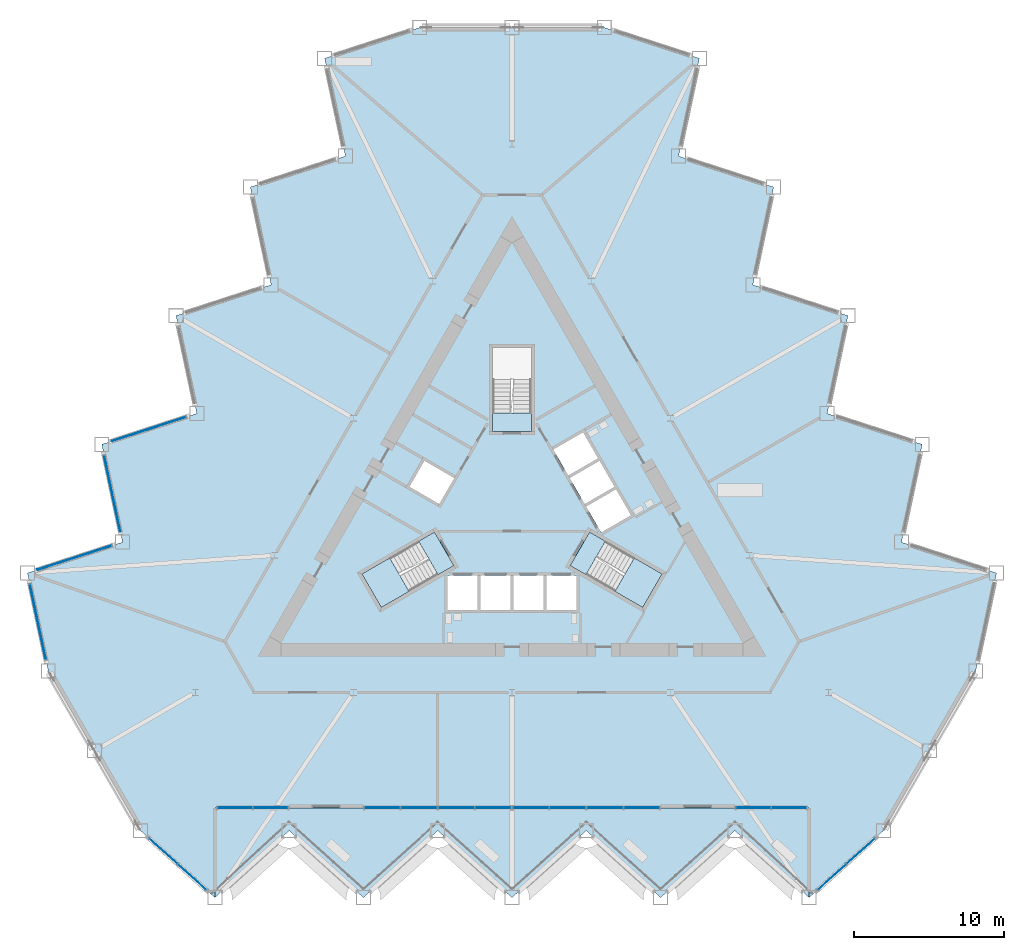
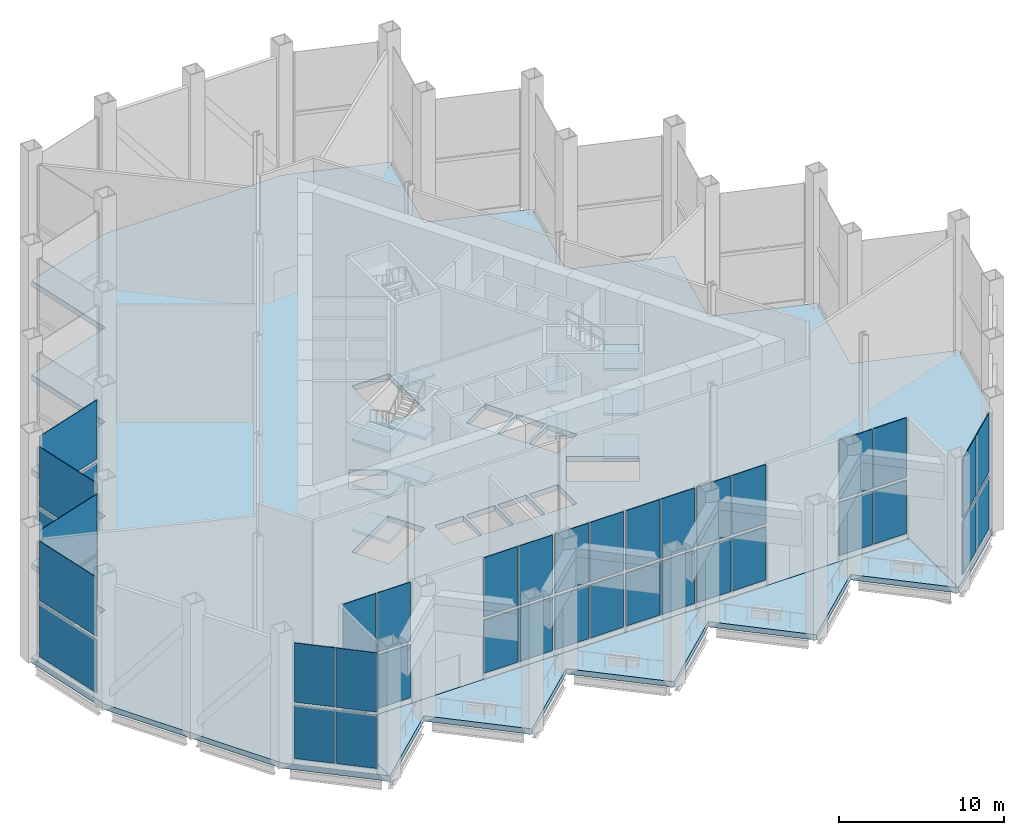
# One storey, part 6 of 17: 40 plates, 13 slabs, 12 elements without a shape of their own.
"""IFC4 building model written with IfcOpenShell, lengths in metres."""

from ifc_helpers import new_model, si_unit, direction, frame, origin, origin_2d, place, context, subcontext, project, spatial, polyline, rectangle, outline, extrude, material, layer, layer_set, type_object, element, aggregate, save


model = new_model("IFC4")

# Units and contexts
model_context = context("Model", 3, precision=1e-05, world=origin(), true_north=direction((0.0, 1.0)))
body_context = subcontext(model_context, "Body", "Model", "MODEL_VIEW")
ifc_project = project(units=[si_unit("LENGTHUNIT", "METRE"), si_unit("AREAUNIT", "SQUARE_METRE"), si_unit("VOLUMEUNIT", "CUBIC_METRE"), si_unit("PLANEANGLEUNIT", "RADIAN"), si_unit("MASSUNIT", "GRAM", prefix="KILO")], contexts=[model_context])

# Site, building, storey
site_placement = place(None, origin())
site = spatial("IfcSite", under=ifc_project, at=site_placement, CompositionType="ELEMENT")
building_placement = place(site_placement, origin())
building = spatial("IfcBuilding", under=site, at=building_placement, Name="Cormorant Prow Tower", CompositionType="ELEMENT")
storey_placement = place(building_placement, frame((0.0, 0.0, 84.60009765625)))
storey = spatial("IfcBuildingStorey", under=building, at=storey_placement, Name="L18", CompositionType="ELEMENT", Elevation=84.60009765625)

# Slab
ifc_material_1 = material(Name="Concrete C40/50", Category="concrete")
ifc_layer_1 = layer(ifc_material_1, 0.39990234375)
ifc_layer_set_1 = layer_set([ifc_layer_1], Name="Concrete C40/50")
slab_type_1 = type_object("IfcSlabType", Name="Post-tensioned flat slab 400", PredefinedType="FLOOR", material=ifc_layer_set_1)
slab_1_placement = place(storey_placement, frame((0.0, 0.0, -0.400146484375)))
element("IfcSlab", 1, at=slab_1_placement, inside=storey, type_object=slab_type_1, Name="Floor slab L18", PredefinedType="FLOOR", context=body_context, shape_type="SweptSolid", body=[
    extrude(outline(polyline([(-12.525146484375, 30.168701171875), (-11.1357421875, 23.632080078125), (-17.4912109375, 21.567138671875), (-16.101806640625, 15.03076171875), (-22.457275390625, 12.965576171875), (-21.06787109375, 6.42919921875), (-27.42333984375, 4.3642578125), (-26.033935546875, -2.17236328125), (-32.389404296875, -4.2373046875), (-31.0, -10.773681640625), (-27.915283203125, -16.116943359375), (-24.830322265625, -21.4599609375), (-19.8642578125, -25.931396484375), (-19.8642578125, -19.931396484375), (19.8642578125, -19.931396484375), (19.8642578125, -25.931396484375), (24.830322265625, -21.4599609375), (27.915283203125, -16.116943359375), (31.0, -10.773681640625), (32.389404296875, -4.2373046875), (26.033935546875, -2.17236328125), (27.42333984375, 4.3642578125), (21.06787109375, 6.42919921875), (22.457275390625, 12.965576171875), (16.101806640625, 15.03076171875), (17.4912109375, 21.567138671875), (11.1357421875, 23.632080078125), (12.525146484375, 30.168701171875), (6.169677734375, 32.233642578125), (0.0, 32.233642578125), (-6.169677734375, 32.233642578125), (-12.525146484375, 30.168701171875)]), holes=[polyline([(-4.300048828125, -6.699951171875), (-4.300048828125, -4.39990234375), (-2.300048828125, -4.39990234375), (-2.300048828125, -6.699951171875), (-4.300048828125, -6.699951171875)]), polyline([(-2.10009765625, -4.39990234375), (-0.10009765625, -4.39990234375), (-0.10009765625, -6.699951171875), (-2.10009765625, -6.699951171875), (-2.10009765625, -4.39990234375)]), polyline([(2.10009765625, -4.39990234375), (2.10009765625, -6.699951171875), (0.10009765625, -6.699951171875), (0.10009765625, -4.39990234375), (2.10009765625, -4.39990234375)]), polyline([(4.300048828125, -6.699951171875), (2.300048828125, -6.699951171875), (2.300048828125, -4.39990234375), (4.300048828125, -4.39990234375), (4.300048828125, -6.699951171875)]), polyline([(7.952392578125, -0.373779296875), (5.96044921875, -1.52392578125), (4.96044921875, 0.2080078125), (6.952392578125, 1.358154296875), (7.952392578125, -0.373779296875)]), polyline([(4.860595703125, 0.38134765625), (3.860595703125, 2.11328125), (5.852294921875, 3.263427734375), (6.852294921875, 1.53125), (4.860595703125, 0.38134765625)]), polyline([(2.760498046875, 4.018798828125), (4.75244140625, 5.168701171875), (5.75244140625, 3.4365234375), (3.760498046875, 2.28662109375), (2.760498046875, 4.018798828125)]), polyline([(-6.852294921875, 1.53125), (-5.852294921875, 3.263427734375), (-3.860595703125, 2.11328125), (-4.860595703125, 0.38134765625), (-6.852294921875, 1.53125)]), polyline([(-4.947509765625, -4.3505859375), (-8.738037109375, -6.5390625), (-10.031982421875, -4.2978515625), (-6.241455078125, -2.109375), (-4.947509765625, -4.3505859375)]), polyline([(10.031982421875, -4.2978515625), (8.738037109375, -6.5390625), (4.947509765625, -4.3505859375), (6.241455078125, -2.109375), (10.031982421875, -4.2978515625)]), polyline([(1.2939453125, 10.8369140625), (1.2939453125, 6.459716796875), (-1.2939453125, 6.459716796875), (-1.2939453125, 10.8369140625), (1.2939453125, 10.8369140625)])]), origin(), (0.0, 0.0, 1.0), 0.400146484375),
])

# Curtain wall, plates
ifc_material_2 = material(Name="Aluminium 6063-T6", Category="aluminium")
ifc_layer_2 = layer(ifc_material_2, 0.300048828125)
ifc_layer_set_2 = layer_set([ifc_layer_2], Name="Aluminium 6063-T6")
curtain_wall_type = type_object("IfcCurtainWallType", Name="Sky lobby unitised curtain wall 300", PredefinedType="NOTDEFINED", material=ifc_layer_set_2)
curtain_wall_1_placement = place(storey_placement, origin())
curtain_wall_1 = element("IfcCurtainWall", 2, at=curtain_wall_1_placement, inside=storey, type_object=curtain_wall_type, Name="Sky lobby curtain wall S00", PredefinedType="NOTDEFINED")
ifc_material_3 = material(Name="Clear glass", Category="glass")
ifc_layer_3 = layer(ifc_material_3, 0.0439453125)
ifc_layer_set_3 = layer_set([ifc_layer_3], Name="Clear glass")
plate_type = type_object("IfcPlateType", Name="Sky lobby glass panel 44", PredefinedType="CURTAIN_PANEL", material=ifc_layer_set_3)
plate_1_placement = place(storey_placement, frame((-23.312744140625, -22.826416015625, 0.449951171875), z_axis=(0.0, 0.0, 1.0), x_axis=(0.743144871012, -0.669130555788, 0.0)))
plate_1 = element("IfcPlate", 3, at=plate_1_placement, type_object=plate_type, Name="Sky lobby glass panel S00", PredefinedType="CURTAIN_PANEL", context=body_context, shape_type="SweptSolid", body=[
    extrude(rectangle(XDim=2.518310546875, YDim=0.0439453125, at=origin_2d()), origin(), (0.0, 0.0, 1.0), 3.92431640625),
])
plate_2_placement = place(storey_placement, frame((-21.3818359375, -24.56494140625, 0.449951171875), z_axis=(0.0, 0.0, 1.0), x_axis=(0.743144871012, -0.669130555788, 0.0)))
plate_2 = element("IfcPlate", 4, at=plate_2_placement, type_object=plate_type, Name="Sky lobby glass panel S00", PredefinedType="CURTAIN_PANEL", context=body_context, shape_type="SweptSolid", body=[
    extrude(rectangle(XDim=2.518310546875, YDim=0.0439453125, at=origin_2d()), origin(), (0.0, 0.0, 1.0), 3.92431640625),
])
plate_3_placement = place(storey_placement, frame((-23.312744140625, -22.826416015625, 4.6142578125), z_axis=(0.0, 0.0, 1.0), x_axis=(0.743144871012, -0.669130555788, 0.0)))
plate_3 = element("IfcPlate", 5, at=plate_3_placement, type_object=plate_type, Name="Sky lobby glass panel S00", PredefinedType="CURTAIN_PANEL", context=body_context, shape_type="SweptSolid", body=[
    extrude(rectangle(XDim=2.518310546875, YDim=0.0439453125, at=origin_2d()), origin(), (0.0, 0.0, 1.0), 4.37451171875),
])
plate_4_placement = place(storey_placement, frame((-21.3818359375, -24.56494140625, 4.6142578125), z_axis=(0.0, 0.0, 1.0), x_axis=(0.743144871012, -0.669130555788, 0.0)))
plate_4 = element("IfcPlate", 6, at=plate_4_placement, type_object=plate_type, Name="Sky lobby glass panel S00", PredefinedType="CURTAIN_PANEL", context=body_context, shape_type="SweptSolid", body=[
    extrude(rectangle(XDim=2.518310546875, YDim=0.0439453125, at=origin_2d()), origin(), (0.0, 0.0, 1.0), 4.37451171875),
])
aggregate(curtain_wall_1, [plate_1, plate_2, plate_3, plate_4])

curtain_wall_2_placement = place(storey_placement, origin())
curtain_wall_2 = element("IfcCurtainWall", 7, at=curtain_wall_2_placement, inside=storey, type_object=curtain_wall_type, Name="Sky lobby curtain wall S09", PredefinedType="NOTDEFINED")
plate_5_placement = place(storey_placement, frame((21.3818359375, -24.56494140625, 0.449951171875), z_axis=(0.0, 0.0, 1.0), x_axis=(0.743144871012, 0.669130555788, 0.0)))
plate_5 = element("IfcPlate", 8, at=plate_5_placement, type_object=plate_type, Name="Sky lobby glass panel S09", PredefinedType="CURTAIN_PANEL", context=body_context, shape_type="SweptSolid", body=[
    extrude(rectangle(XDim=2.518310546875, YDim=0.0439453125, at=origin_2d()), origin(), (0.0, 0.0, 1.0), 3.92431640625),
])
plate_6_placement = place(storey_placement, frame((23.312744140625, -22.826416015625, 0.449951171875), z_axis=(0.0, 0.0, 1.0), x_axis=(0.743144871012, 0.669130555788, 0.0)))
plate_6 = element("IfcPlate", 9, at=plate_6_placement, type_object=plate_type, Name="Sky lobby glass panel S09", PredefinedType="CURTAIN_PANEL", context=body_context, shape_type="SweptSolid", body=[
    extrude(rectangle(XDim=2.518310546875, YDim=0.0439453125, at=origin_2d()), origin(), (0.0, 0.0, 1.0), 3.92431640625),
])
plate_7_placement = place(storey_placement, frame((21.3818359375, -24.56494140625, 4.6142578125), z_axis=(0.0, 0.0, 1.0), x_axis=(0.743144871012, 0.669130555788, 0.0)))
plate_7 = element("IfcPlate", 10, at=plate_7_placement, type_object=plate_type, Name="Sky lobby glass panel S09", PredefinedType="CURTAIN_PANEL", context=body_context, shape_type="SweptSolid", body=[
    extrude(rectangle(XDim=2.518310546875, YDim=0.0439453125, at=origin_2d()), origin(), (0.0, 0.0, 1.0), 4.37451171875),
])
plate_8_placement = place(storey_placement, frame((23.312744140625, -22.826416015625, 4.6142578125), z_axis=(0.0, 0.0, 1.0), x_axis=(0.743144871012, 0.669130555788, 0.0)))
plate_8 = element("IfcPlate", 11, at=plate_8_placement, type_object=plate_type, Name="Sky lobby glass panel S09", PredefinedType="CURTAIN_PANEL", context=body_context, shape_type="SweptSolid", body=[
    extrude(rectangle(XDim=2.518310546875, YDim=0.0439453125, at=origin_2d()), origin(), (0.0, 0.0, 1.0), 4.37451171875),
])
aggregate(curtain_wall_2, [plate_5, plate_6, plate_7, plate_8])

curtain_wall_3_placement = place(storey_placement, origin())
curtain_wall_3 = element("IfcCurtainWall", 12, at=curtain_wall_3_placement, inside=storey, type_object=curtain_wall_type, Name="Sky lobby curtain wall WNW00-WNW09", PredefinedType="NOTDEFINED")
plate_9_placement = place(storey_placement, frame((-24.28369140625, 5.38427734375, 0.449951171875), z_axis=(0.0, 0.0, 1.0), x_axis=(-0.951056529897, -0.309016952512, 0.0)))
plate_9 = element("IfcPlate", 13, at=plate_9_placement, type_object=plate_type, Name="Sky lobby glass panel WNW00-WNW09", PredefinedType="CURTAIN_PANEL", context=body_context, shape_type="SweptSolid", body=[
    extrude(rectangle(XDim=5.196533203125, YDim=0.0439453125, at=origin_2d()), origin(), (0.0, 0.0, 1.0), 3.92431640625),
])
plate_10_placement = place(storey_placement, frame((-24.28369140625, 5.38427734375, 4.6142578125), z_axis=(0.0, 0.0, 1.0), x_axis=(-0.951056529897, -0.309016952512, 0.0)))
plate_10 = element("IfcPlate", 14, at=plate_10_placement, type_object=plate_type, Name="Sky lobby glass panel WNW00-WNW09", PredefinedType="CURTAIN_PANEL", context=body_context, shape_type="SweptSolid", body=[
    extrude(rectangle(XDim=5.196533203125, YDim=0.0439453125, at=origin_2d()), origin(), (0.0, 0.0, 1.0), 4.37451171875),
])
plate_11_placement = place(storey_placement, frame((-26.72021484375, 1.056884765625, 0.449951171875), z_axis=(0.0, 0.0, 1.0), x_axis=(0.207911740719, -0.978147590127, 0.0)))
plate_11 = element("IfcPlate", 15, at=plate_11_placement, type_object=plate_type, Name="Sky lobby glass panel WNW00-WNW09", PredefinedType="CURTAIN_PANEL", context=body_context, shape_type="SweptSolid", body=[
    extrude(rectangle(XDim=5.196533203125, YDim=0.0439453125, at=origin_2d()), origin(), (0.0, 0.0, 1.0), 3.92431640625),
])
plate_12_placement = place(storey_placement, frame((-26.72021484375, 1.056884765625, 4.6142578125), z_axis=(0.0, 0.0, 1.0), x_axis=(0.207911740719, -0.978147590127, 0.0)))
plate_12 = element("IfcPlate", 16, at=plate_12_placement, type_object=plate_type, Name="Sky lobby glass panel WNW00-WNW09", PredefinedType="CURTAIN_PANEL", context=body_context, shape_type="SweptSolid", body=[
    extrude(rectangle(XDim=5.196533203125, YDim=0.0439453125, at=origin_2d()), origin(), (0.0, 0.0, 1.0), 4.37451171875),
])
plate_13_placement = place(storey_placement, frame((-29.249755859375, -3.217041015625, 0.449951171875), z_axis=(0.0, 0.0, 1.0), x_axis=(-0.951056529897, -0.309016952512, 0.0)))
plate_13 = element("IfcPlate", 17, at=plate_13_placement, type_object=plate_type, Name="Sky lobby glass panel WNW00-WNW09", PredefinedType="CURTAIN_PANEL", context=body_context, shape_type="SweptSolid", body=[
    extrude(rectangle(XDim=5.196533203125, YDim=0.0439453125, at=origin_2d()), origin(), (0.0, 0.0, 1.0), 3.92431640625),
])
plate_14_placement = place(storey_placement, frame((-29.249755859375, -3.217041015625, 4.6142578125), z_axis=(0.0, 0.0, 1.0), x_axis=(-0.951056529897, -0.309016952512, 0.0)))
plate_14 = element("IfcPlate", 18, at=plate_14_placement, type_object=plate_type, Name="Sky lobby glass panel WNW00-WNW09", PredefinedType="CURTAIN_PANEL", context=body_context, shape_type="SweptSolid", body=[
    extrude(rectangle(XDim=5.196533203125, YDim=0.0439453125, at=origin_2d()), origin(), (0.0, 0.0, 1.0), 4.37451171875),
])
plate_15_placement = place(storey_placement, frame((-31.694580078125, -7.505615234375, 0.449951171875), z_axis=(0.0, 0.0, 1.0), x_axis=(0.207911740719, -0.978147590127, 0.0)))
plate_15 = element("IfcPlate", 19, at=plate_15_placement, type_object=plate_type, Name="Sky lobby glass panel WNW00-WNW09", PredefinedType="CURTAIN_PANEL", context=body_context, shape_type="SweptSolid", body=[
    extrude(rectangle(XDim=5.116455078125, YDim=0.0439453125, at=origin_2d()), origin(), (0.0, 0.0, 1.0), 3.92431640625),
])
plate_16_placement = place(storey_placement, frame((-31.694580078125, -7.505615234375, 4.6142578125), z_axis=(0.0, 0.0, 1.0), x_axis=(0.207911740719, -0.978147590127, 0.0)))
plate_16 = element("IfcPlate", 20, at=plate_16_placement, type_object=plate_type, Name="Sky lobby glass panel WNW00-WNW09", PredefinedType="CURTAIN_PANEL", context=body_context, shape_type="SweptSolid", body=[
    extrude(rectangle(XDim=5.116455078125, YDim=0.0439453125, at=origin_2d()), origin(), (0.0, 0.0, 1.0), 4.37451171875),
])
aggregate(curtain_wall_3, [plate_9, plate_10, plate_11, plate_12, plate_13, plate_14, plate_15, plate_16])

curtain_wall_4_placement = place(storey_placement, origin())
curtain_wall_4 = element("IfcCurtainWall", 21, at=curtain_wall_4_placement, inside=storey, type_object=curtain_wall_type, Name="Sky lobby curtain wall loggia S01", PredefinedType="NOTDEFINED")
plate_17_placement = place(storey_placement, frame((-18.520263671875, -19.931396484375, 0.449951171875), z_axis=(0.0, 0.0, 1.0), x_axis=(1.0, 0.0, 0.0)))
plate_17 = element("IfcPlate", 22, at=plate_17_placement, type_object=plate_type, Name="Sky lobby glass panel loggia S01", PredefinedType="CURTAIN_PANEL", context=body_context, shape_type="SweptSolid", body=[
    extrude(rectangle(XDim=2.30810546875, YDim=0.0439453125, at=origin_2d()), origin(), (0.0, 0.0, 1.0), 3.92431640625),
])
plate_18_placement = place(storey_placement, frame((-16.13232421875, -19.931396484375, 0.449951171875), z_axis=(0.0, 0.0, 1.0), x_axis=(1.0, 0.0, 0.0)))
plate_18 = element("IfcPlate", 23, at=plate_18_placement, type_object=plate_type, Name="Sky lobby glass panel loggia S01", PredefinedType="CURTAIN_PANEL", context=body_context, shape_type="SweptSolid", body=[
    extrude(rectangle(XDim=2.30810546875, YDim=0.0439453125, at=origin_2d()), origin(), (0.0, 0.0, 1.0), 3.92431640625),
])
plate_19_placement = place(storey_placement, frame((-18.520263671875, -19.931396484375, 4.6142578125), z_axis=(0.0, 0.0, 1.0), x_axis=(1.0, 0.0, 0.0)))
plate_19 = element("IfcPlate", 24, at=plate_19_placement, type_object=plate_type, Name="Sky lobby glass panel loggia S01", PredefinedType="CURTAIN_PANEL", context=body_context, shape_type="SweptSolid", body=[
    extrude(rectangle(XDim=2.30810546875, YDim=0.0439453125, at=origin_2d()), origin(), (0.0, 0.0, 1.0), 4.37451171875),
])
plate_20_placement = place(storey_placement, frame((-16.13232421875, -19.931396484375, 4.6142578125), z_axis=(0.0, 0.0, 1.0), x_axis=(1.0, 0.0, 0.0)))
plate_20 = element("IfcPlate", 25, at=plate_20_placement, type_object=plate_type, Name="Sky lobby glass panel loggia S01", PredefinedType="CURTAIN_PANEL", context=body_context, shape_type="SweptSolid", body=[
    extrude(rectangle(XDim=2.30810546875, YDim=0.0439453125, at=origin_2d()), origin(), (0.0, 0.0, 1.0), 4.37451171875),
])
aggregate(curtain_wall_4, [plate_17, plate_18, plate_19, plate_20])

curtain_wall_5_placement = place(storey_placement, origin())
curtain_wall_5 = element("IfcCurtainWall", 26, at=curtain_wall_5_placement, inside=storey, type_object=curtain_wall_type, Name="Sky lobby curtain wall loggia S03", PredefinedType="NOTDEFINED")
plate_21_placement = place(storey_placement, frame((-8.670654296875, -19.931396484375, 0.449951171875), z_axis=(0.0, 0.0, 1.0), x_axis=(1.0, 0.0, 0.0)))
plate_21 = element("IfcPlate", 27, at=plate_21_placement, type_object=plate_type, Name="Sky lobby glass panel loggia S03", PredefinedType="CURTAIN_PANEL", context=body_context, shape_type="SweptSolid", body=[
    extrude(rectangle(XDim=2.363037109375, YDim=0.0439453125, at=origin_2d()), origin(), (0.0, 0.0, 1.0), 3.92431640625),
])
plate_22_placement = place(storey_placement, frame((-6.2275390625, -19.931396484375, 0.449951171875), z_axis=(0.0, 0.0, 1.0), x_axis=(1.0, 0.0, 0.0)))
plate_22 = element("IfcPlate", 28, at=plate_22_placement, type_object=plate_type, Name="Sky lobby glass panel loggia S03", PredefinedType="CURTAIN_PANEL", context=body_context, shape_type="SweptSolid", body=[
    extrude(rectangle(XDim=2.363037109375, YDim=0.0439453125, at=origin_2d()), origin(), (0.0, 0.0, 1.0), 3.92431640625),
])
plate_23_placement = place(storey_placement, frame((-8.670654296875, -19.931396484375, 4.6142578125), z_axis=(0.0, 0.0, 1.0), x_axis=(1.0, 0.0, 0.0)))
plate_23 = element("IfcPlate", 29, at=plate_23_placement, type_object=plate_type, Name="Sky lobby glass panel loggia S03", PredefinedType="CURTAIN_PANEL", context=body_context, shape_type="SweptSolid", body=[
    extrude(rectangle(XDim=2.363037109375, YDim=0.0439453125, at=origin_2d()), origin(), (0.0, 0.0, 1.0), 4.37451171875),
])
plate_24_placement = place(storey_placement, frame((-6.2275390625, -19.931396484375, 4.6142578125), z_axis=(0.0, 0.0, 1.0), x_axis=(1.0, 0.0, 0.0)))
plate_24 = element("IfcPlate", 30, at=plate_24_placement, type_object=plate_type, Name="Sky lobby glass panel loggia S03", PredefinedType="CURTAIN_PANEL", context=body_context, shape_type="SweptSolid", body=[
    extrude(rectangle(XDim=2.363037109375, YDim=0.0439453125, at=origin_2d()), origin(), (0.0, 0.0, 1.0), 4.37451171875),
])
aggregate(curtain_wall_5, [plate_21, plate_22, plate_23, plate_24])

curtain_wall_6_placement = place(storey_placement, origin())
curtain_wall_6 = element("IfcCurtainWall", 31, at=curtain_wall_6_placement, inside=storey, type_object=curtain_wall_type, Name="Sky lobby curtain wall loggia S04", PredefinedType="NOTDEFINED")
plate_25_placement = place(storey_placement, frame((-3.70458984375, -19.931396484375, 0.449951171875), z_axis=(0.0, 0.0, 1.0), x_axis=(1.0, 0.0, 0.0)))
plate_25 = element("IfcPlate", 32, at=plate_25_placement, type_object=plate_type, Name="Sky lobby glass panel loggia S04", PredefinedType="CURTAIN_PANEL", context=body_context, shape_type="SweptSolid", body=[
    extrude(rectangle(XDim=2.363037109375, YDim=0.0439453125, at=origin_2d()), origin(), (0.0, 0.0, 1.0), 3.92431640625),
])
plate_26_placement = place(storey_placement, frame((-1.261474609375, -19.931396484375, 0.449951171875), z_axis=(0.0, 0.0, 1.0), x_axis=(1.0, 0.0, 0.0)))
plate_26 = element("IfcPlate", 33, at=plate_26_placement, type_object=plate_type, Name="Sky lobby glass panel loggia S04", PredefinedType="CURTAIN_PANEL", context=body_context, shape_type="SweptSolid", body=[
    extrude(rectangle(XDim=2.363037109375, YDim=0.0439453125, at=origin_2d()), origin(), (0.0, 0.0, 1.0), 3.92431640625),
])
plate_27_placement = place(storey_placement, frame((-3.70458984375, -19.931396484375, 4.6142578125), z_axis=(0.0, 0.0, 1.0), x_axis=(1.0, 0.0, 0.0)))
plate_27 = element("IfcPlate", 34, at=plate_27_placement, type_object=plate_type, Name="Sky lobby glass panel loggia S04", PredefinedType="CURTAIN_PANEL", context=body_context, shape_type="SweptSolid", body=[
    extrude(rectangle(XDim=2.363037109375, YDim=0.0439453125, at=origin_2d()), origin(), (0.0, 0.0, 1.0), 4.37451171875),
])
plate_28_placement = place(storey_placement, frame((-1.261474609375, -19.931396484375, 4.6142578125), z_axis=(0.0, 0.0, 1.0), x_axis=(1.0, 0.0, 0.0)))
plate_28 = element("IfcPlate", 35, at=plate_28_placement, type_object=plate_type, Name="Sky lobby glass panel loggia S04", PredefinedType="CURTAIN_PANEL", context=body_context, shape_type="SweptSolid", body=[
    extrude(rectangle(XDim=2.363037109375, YDim=0.0439453125, at=origin_2d()), origin(), (0.0, 0.0, 1.0), 4.37451171875),
])
aggregate(curtain_wall_6, [plate_25, plate_26, plate_27, plate_28])

curtain_wall_7_placement = place(storey_placement, origin())
curtain_wall_7 = element("IfcCurtainWall", 36, at=curtain_wall_7_placement, inside=storey, type_object=curtain_wall_type, Name="Sky lobby curtain wall loggia S05", PredefinedType="NOTDEFINED")
plate_29_placement = place(storey_placement, frame((1.261474609375, -19.931396484375, 0.449951171875), z_axis=(0.0, 0.0, 1.0), x_axis=(1.0, 0.0, 0.0)))
plate_29 = element("IfcPlate", 37, at=plate_29_placement, type_object=plate_type, Name="Sky lobby glass panel loggia S05", PredefinedType="CURTAIN_PANEL", context=body_context, shape_type="SweptSolid", body=[
    extrude(rectangle(XDim=2.363037109375, YDim=0.0439453125, at=origin_2d()), origin(), (0.0, 0.0, 1.0), 3.92431640625),
])
plate_30_placement = place(storey_placement, frame((3.70458984375, -19.931396484375, 0.449951171875), z_axis=(0.0, 0.0, 1.0), x_axis=(1.0, 0.0, 0.0)))
plate_30 = element("IfcPlate", 38, at=plate_30_placement, type_object=plate_type, Name="Sky lobby glass panel loggia S05", PredefinedType="CURTAIN_PANEL", context=body_context, shape_type="SweptSolid", body=[
    extrude(rectangle(XDim=2.363037109375, YDim=0.0439453125, at=origin_2d()), origin(), (0.0, 0.0, 1.0), 3.92431640625),
])
plate_31_placement = place(storey_placement, frame((1.261474609375, -19.931396484375, 4.6142578125), z_axis=(0.0, 0.0, 1.0), x_axis=(1.0, 0.0, 0.0)))
plate_31 = element("IfcPlate", 39, at=plate_31_placement, type_object=plate_type, Name="Sky lobby glass panel loggia S05", PredefinedType="CURTAIN_PANEL", context=body_context, shape_type="SweptSolid", body=[
    extrude(rectangle(XDim=2.363037109375, YDim=0.0439453125, at=origin_2d()), origin(), (0.0, 0.0, 1.0), 4.37451171875),
])
plate_32_placement = place(storey_placement, frame((3.70458984375, -19.931396484375, 4.6142578125), z_axis=(0.0, 0.0, 1.0), x_axis=(1.0, 0.0, 0.0)))
plate_32 = element("IfcPlate", 40, at=plate_32_placement, type_object=plate_type, Name="Sky lobby glass panel loggia S05", PredefinedType="CURTAIN_PANEL", context=body_context, shape_type="SweptSolid", body=[
    extrude(rectangle(XDim=2.363037109375, YDim=0.0439453125, at=origin_2d()), origin(), (0.0, 0.0, 1.0), 4.37451171875),
])
aggregate(curtain_wall_7, [plate_29, plate_30, plate_31, plate_32])

curtain_wall_8_placement = place(storey_placement, origin())
curtain_wall_8 = element("IfcCurtainWall", 41, at=curtain_wall_8_placement, inside=storey, type_object=curtain_wall_type, Name="Sky lobby curtain wall loggia S06", PredefinedType="NOTDEFINED")
plate_33_placement = place(storey_placement, frame((6.2275390625, -19.931396484375, 0.449951171875), z_axis=(0.0, 0.0, 1.0), x_axis=(1.0, 0.0, 0.0)))
plate_33 = element("IfcPlate", 42, at=plate_33_placement, type_object=plate_type, Name="Sky lobby glass panel loggia S06", PredefinedType="CURTAIN_PANEL", context=body_context, shape_type="SweptSolid", body=[
    extrude(rectangle(XDim=2.363037109375, YDim=0.0439453125, at=origin_2d()), origin(), (0.0, 0.0, 1.0), 3.92431640625),
])
plate_34_placement = place(storey_placement, frame((8.670654296875, -19.931396484375, 0.449951171875), z_axis=(0.0, 0.0, 1.0), x_axis=(1.0, 0.0, 0.0)))
plate_34 = element("IfcPlate", 43, at=plate_34_placement, type_object=plate_type, Name="Sky lobby glass panel loggia S06", PredefinedType="CURTAIN_PANEL", context=body_context, shape_type="SweptSolid", body=[
    extrude(rectangle(XDim=2.363037109375, YDim=0.0439453125, at=origin_2d()), origin(), (0.0, 0.0, 1.0), 3.92431640625),
])
plate_35_placement = place(storey_placement, frame((6.2275390625, -19.931396484375, 4.6142578125), z_axis=(0.0, 0.0, 1.0), x_axis=(1.0, 0.0, 0.0)))
plate_35 = element("IfcPlate", 44, at=plate_35_placement, type_object=plate_type, Name="Sky lobby glass panel loggia S06", PredefinedType="CURTAIN_PANEL", context=body_context, shape_type="SweptSolid", body=[
    extrude(rectangle(XDim=2.363037109375, YDim=0.0439453125, at=origin_2d()), origin(), (0.0, 0.0, 1.0), 4.37451171875),
])
plate_36_placement = place(storey_placement, frame((8.670654296875, -19.931396484375, 4.6142578125), z_axis=(0.0, 0.0, 1.0), x_axis=(1.0, 0.0, 0.0)))
plate_36 = element("IfcPlate", 45, at=plate_36_placement, type_object=plate_type, Name="Sky lobby glass panel loggia S06", PredefinedType="CURTAIN_PANEL", context=body_context, shape_type="SweptSolid", body=[
    extrude(rectangle(XDim=2.363037109375, YDim=0.0439453125, at=origin_2d()), origin(), (0.0, 0.0, 1.0), 4.37451171875),
])
aggregate(curtain_wall_8, [plate_33, plate_34, plate_35, plate_36])

curtain_wall_9_placement = place(storey_placement, origin())
curtain_wall_9 = element("IfcCurtainWall", 46, at=curtain_wall_9_placement, inside=storey, type_object=curtain_wall_type, Name="Sky lobby curtain wall loggia S08", PredefinedType="NOTDEFINED")
plate_37_placement = place(storey_placement, frame((16.13232421875, -19.931396484375, 0.449951171875), z_axis=(0.0, 0.0, 1.0), x_axis=(1.0, 0.0, 0.0)))
plate_37 = element("IfcPlate", 47, at=plate_37_placement, type_object=plate_type, Name="Sky lobby glass panel loggia S08", PredefinedType="CURTAIN_PANEL", context=body_context, shape_type="SweptSolid", body=[
    extrude(rectangle(XDim=2.30810546875, YDim=0.0439453125, at=origin_2d()), origin(), (0.0, 0.0, 1.0), 3.92431640625),
])
plate_38_placement = place(storey_placement, frame((18.520263671875, -19.931396484375, 0.449951171875), z_axis=(0.0, 0.0, 1.0), x_axis=(1.0, 0.0, 0.0)))
plate_38 = element("IfcPlate", 48, at=plate_38_placement, type_object=plate_type, Name="Sky lobby glass panel loggia S08", PredefinedType="CURTAIN_PANEL", context=body_context, shape_type="SweptSolid", body=[
    extrude(rectangle(XDim=2.30810546875, YDim=0.0439453125, at=origin_2d()), origin(), (0.0, 0.0, 1.0), 3.92431640625),
])
plate_39_placement = place(storey_placement, frame((16.13232421875, -19.931396484375, 4.6142578125), z_axis=(0.0, 0.0, 1.0), x_axis=(1.0, 0.0, 0.0)))
plate_39 = element("IfcPlate", 49, at=plate_39_placement, type_object=plate_type, Name="Sky lobby glass panel loggia S08", PredefinedType="CURTAIN_PANEL", context=body_context, shape_type="SweptSolid", body=[
    extrude(rectangle(XDim=2.30810546875, YDim=0.0439453125, at=origin_2d()), origin(), (0.0, 0.0, 1.0), 4.37451171875),
])
plate_40_placement = place(storey_placement, frame((18.520263671875, -19.931396484375, 4.6142578125), z_axis=(0.0, 0.0, 1.0), x_axis=(1.0, 0.0, 0.0)))
plate_40 = element("IfcPlate", 50, at=plate_40_placement, type_object=plate_type, Name="Sky lobby glass panel loggia S08", PredefinedType="CURTAIN_PANEL", context=body_context, shape_type="SweptSolid", body=[
    extrude(rectangle(XDim=2.30810546875, YDim=0.0439453125, at=origin_2d()), origin(), (0.0, 0.0, 1.0), 4.37451171875),
])
aggregate(curtain_wall_9, [plate_37, plate_38, plate_39, plate_40])

# Stair, slabs
ifc_material_4 = material(Name="Exit stair 54 risers")
stair_type = type_object("IfcStairType", Name="Exit stair 54 risers", PredefinedType="HALF_TURN_STAIR", material=ifc_material_4)
stair_1_placement = place(storey_placement, origin())
stair_1 = element("IfcStair", 51, at=stair_1_placement, inside=storey, type_object=stair_type, Name="L18 Exit stair ST1", PredefinedType="HALF_TURN_STAIR")
ifc_material_5 = material(Name="Concrete 5000 psi", Category="concrete")
ifc_layer_4 = layer(ifc_material_5, 0.199951171875)
ifc_layer_set_4 = layer_set([ifc_layer_4], Name="Concrete 5000 psi")
slab_type_2 = type_object("IfcSlabType", Name="Stair landing 200", PredefinedType="LANDING", material=ifc_layer_set_4)
slab_2_placement = place(storey_placement, frame((0.0, 0.0, 1.466552734375)))
slab_2 = element("IfcSlab", 52, at=slab_2_placement, type_object=slab_type_2, Name="ST1 landing 1", PredefinedType="LANDING", context=body_context, shape_type="SweptSolid", body=[
    extrude(outline(polyline([(-8.17431640625, -3.225341796875), (-10.031982421875, -4.2978515625), (-8.738037109375, -6.5390625), (-6.88037109375, -5.466552734375), (-8.17431640625, -3.225341796875)])), origin(), (0.0, 0.0, 1.0), 0.199951171875),
])
slab_3_placement = place(storey_placement, frame((0.0, 0.0, 3.13330078125)))
slab_3 = element("IfcSlab", 53, at=slab_3_placement, type_object=slab_type_2, Name="ST1 landing 2", PredefinedType="LANDING", context=body_context, shape_type="SweptSolid", body=[
    extrude(outline(polyline([(-5.18212890625, -1.497802734375), (-6.241455078125, -2.109375), (-4.947265625, -4.3505859375), (-3.88818359375, -3.739013671875), (-5.18212890625, -1.497802734375)])), origin(), (0.0, 0.0, 1.0), 0.199951171875),
])
slab_4_placement = place(storey_placement, frame((0.0, 0.0, 4.7998046875)))
slab_4 = element("IfcSlab", 54, at=slab_4_placement, type_object=slab_type_2, Name="ST1 landing 3", PredefinedType="LANDING", context=body_context, shape_type="SweptSolid", body=[
    extrude(outline(polyline([(-8.17431640625, -3.225341796875), (-10.031982421875, -4.2978515625), (-8.738037109375, -6.5390625), (-6.88037109375, -5.466552734375), (-8.17431640625, -3.225341796875)])), origin(), (0.0, 0.0, 1.0), 0.2001953125),
])
slab_5_placement = place(storey_placement, frame((0.0, 0.0, 6.466552734375)))
slab_5 = element("IfcSlab", 55, at=slab_5_placement, type_object=slab_type_2, Name="ST1 landing 4", PredefinedType="LANDING", context=body_context, shape_type="SweptSolid", body=[
    extrude(outline(polyline([(-5.18212890625, -1.497802734375), (-6.241455078125, -2.109375), (-4.947265625, -4.3505859375), (-3.88818359375, -3.739013671875), (-5.18212890625, -1.497802734375)])), origin(), (0.0, 0.0, 1.0), 0.199951171875),
])
slab_6_placement = place(storey_placement, frame((0.0, 0.0, 8.13330078125)))
slab_6 = element("IfcSlab", 56, at=slab_6_placement, type_object=slab_type_2, Name="ST1 landing 5", PredefinedType="LANDING", context=body_context, shape_type="SweptSolid", body=[
    extrude(outline(polyline([(-8.17431640625, -3.225341796875), (-10.031982421875, -4.2978515625), (-8.738037109375, -6.5390625), (-6.88037109375, -5.466552734375), (-8.17431640625, -3.225341796875)])), origin(), (0.0, 0.0, 1.0), 0.199951171875),
])
aggregate(stair_1, [slab_2, slab_3, slab_4, slab_5, slab_6])

stair_2_placement = place(storey_placement, origin())
stair_2 = element("IfcStair", 57, at=stair_2_placement, inside=storey, type_object=stair_type, Name="L18 Exit stair ST2", PredefinedType="HALF_TURN_STAIR")
slab_7_placement = place(storey_placement, frame((0.0, 0.0, 1.466552734375)))
slab_7 = element("IfcSlab", 58, at=slab_7_placement, type_object=slab_type_2, Name="ST2 landing 1", PredefinedType="LANDING", context=body_context, shape_type="SweptSolid", body=[
    extrude(outline(polyline([(6.88037109375, -5.466552734375), (8.738037109375, -6.5390625), (10.031982421875, -4.2978515625), (8.17431640625, -3.225341796875), (6.88037109375, -5.466552734375)])), origin(), (0.0, 0.0, 1.0), 0.199951171875),
])
slab_8_placement = place(storey_placement, frame((0.0, 0.0, 3.13330078125)))
slab_8 = element("IfcSlab", 59, at=slab_8_placement, type_object=slab_type_2, Name="ST2 landing 2", PredefinedType="LANDING", context=body_context, shape_type="SweptSolid", body=[
    extrude(outline(polyline([(3.88818359375, -3.739013671875), (4.947265625, -4.3505859375), (6.241455078125, -2.109375), (5.18212890625, -1.497802734375), (3.88818359375, -3.739013671875)])), origin(), (0.0, 0.0, 1.0), 0.199951171875),
])
slab_9_placement = place(storey_placement, frame((0.0, 0.0, 4.7998046875)))
slab_9 = element("IfcSlab", 60, at=slab_9_placement, type_object=slab_type_2, Name="ST2 landing 3", PredefinedType="LANDING", context=body_context, shape_type="SweptSolid", body=[
    extrude(outline(polyline([(6.88037109375, -5.466552734375), (8.738037109375, -6.5390625), (10.031982421875, -4.2978515625), (8.17431640625, -3.225341796875), (6.88037109375, -5.466552734375)])), origin(), (0.0, 0.0, 1.0), 0.2001953125),
])
slab_10_placement = place(storey_placement, frame((0.0, 0.0, 6.466552734375)))
slab_10 = element("IfcSlab", 61, at=slab_10_placement, type_object=slab_type_2, Name="ST2 landing 4", PredefinedType="LANDING", context=body_context, shape_type="SweptSolid", body=[
    extrude(outline(polyline([(3.88818359375, -3.739013671875), (4.947265625, -4.3505859375), (6.241455078125, -2.109375), (5.18212890625, -1.497802734375), (3.88818359375, -3.739013671875)])), origin(), (0.0, 0.0, 1.0), 0.199951171875),
])
slab_11_placement = place(storey_placement, frame((0.0, 0.0, 8.13330078125)))
slab_11 = element("IfcSlab", 62, at=slab_11_placement, type_object=slab_type_2, Name="ST2 landing 5", PredefinedType="LANDING", context=body_context, shape_type="SweptSolid", body=[
    extrude(outline(polyline([(6.88037109375, -5.466552734375), (8.738037109375, -6.5390625), (10.031982421875, -4.2978515625), (8.17431640625, -3.225341796875), (6.88037109375, -5.466552734375)])), origin(), (0.0, 0.0, 1.0), 0.199951171875),
])
aggregate(stair_2, [slab_7, slab_8, slab_9, slab_10, slab_11])

# Stair, slab
stair_3_placement = place(storey_placement, origin())
stair_3 = element("IfcStair", 63, at=stair_3_placement, inside=storey, type_object=stair_type, Name="L18 Exit stair ST3", PredefinedType="HALF_TURN_STAIR")
slab_12_placement = place(storey_placement, frame((0.0, 0.0, 3.13330078125)))
slab_12 = element("IfcSlab", 64, at=slab_12_placement, type_object=slab_type_2, Name="ST3 landing 2", PredefinedType="LANDING", context=body_context, shape_type="SweptSolid", body=[
    extrude(outline(polyline([(1.2939453125, 5.23681640625), (1.2939453125, 6.459716796875), (-1.2939453125, 6.459716796875), (-1.2939453125, 5.23681640625), (1.2939453125, 5.23681640625)])), origin(), (0.0, 0.0, 1.0), 0.199951171875),
])
aggregate(stair_3, [slab_12])

# Slab
ifc_material_6 = material(Name="Concrete C40/50", Category="concrete")
ifc_layer_5 = layer(ifc_material_6, 0.39990234375)
ifc_layer_set_5 = layer_set([ifc_layer_5], Name="Concrete C40/50")
slab_type_3 = type_object("IfcSlabType", Name="Terrace slab 400", PredefinedType="FLOOR", material=ifc_layer_set_5)
slab_13_placement = place(storey_placement, frame((0.0, 0.0, -0.400146484375)))
element("IfcSlab", 65, at=slab_13_placement, inside=storey, type_object=slab_type_3, Name="Loggia terrace slab L18", PredefinedType="FLOOR", context=body_context, shape_type="SweptSolid", body=[
    extrude(outline(polyline([(-19.8642578125, -25.931396484375), (-14.898193359375, -21.4599609375), (-9.93212890625, -25.931396484375), (-4.966064453125, -21.4599609375), (0.0, -25.931396484375), (4.966064453125, -21.4599609375), (9.93212890625, -25.931396484375), (14.898193359375, -21.4599609375), (19.8642578125, -25.931396484375), (19.8642578125, -19.931396484375), (-19.8642578125, -19.931396484375), (-19.8642578125, -25.931396484375)])), origin(), (0.0, 0.0, 1.0), 0.400146484375),
])

save(model, "model.ifc")
